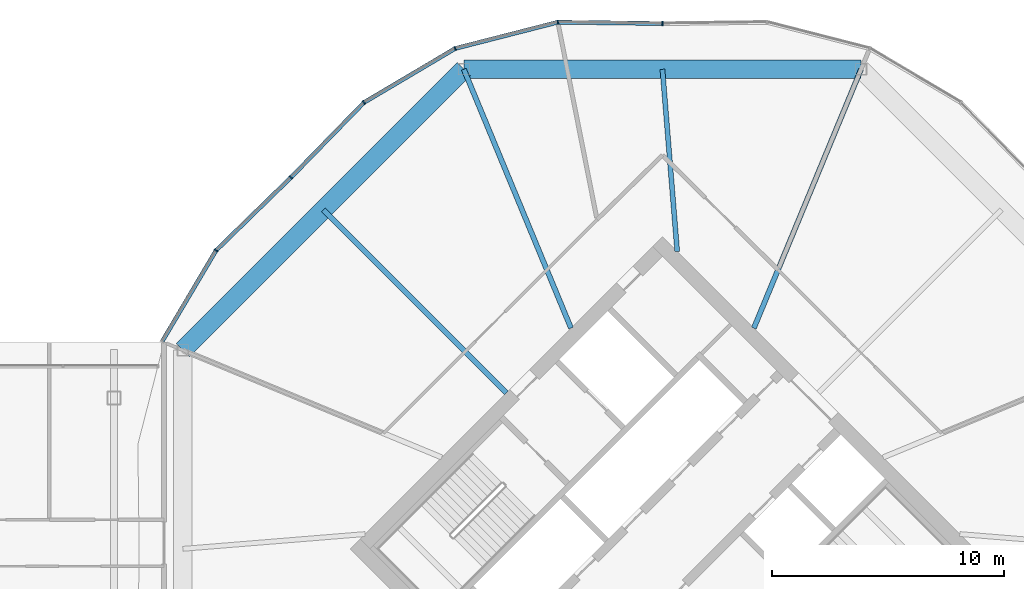
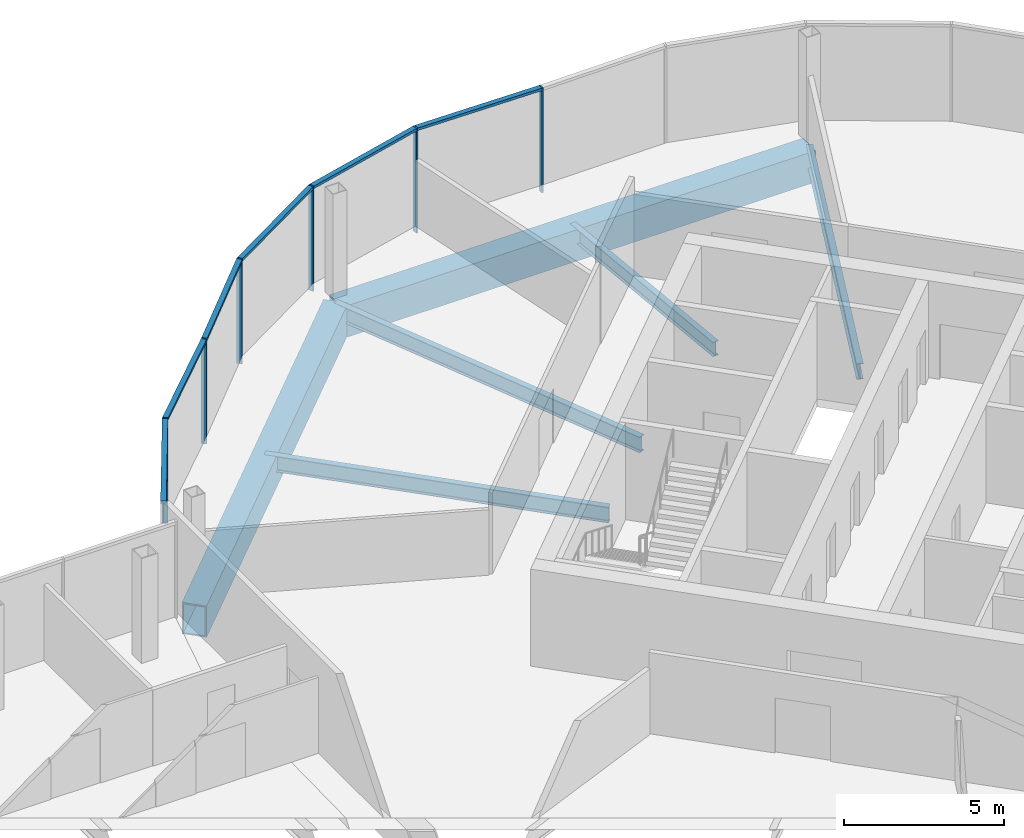
# One storey, part 16 of 26: 12 members, 6 beams, 3 elements without a shape of their own.
"""IFC4 building model written with IfcOpenShell, lengths in metres."""

from ifc_helpers import new_model, si_unit, direction, frame, origin, origin_2d, place, context, subcontext, project, spatial, rectangle, hollow_rectangle, i_section, extrude, material, material_profile, profile_set, type_object, element, aggregate, save


model = new_model("IFC4")

# Units and contexts
model_context = context("Model", 3, precision=1e-05, world=origin(), true_north=direction((0.0, 1.0)))
body_context = subcontext(model_context, "Body", "Model", "MODEL_VIEW")
ifc_project = project(units=[si_unit("LENGTHUNIT", "METRE"), si_unit("AREAUNIT", "SQUARE_METRE"), si_unit("VOLUMEUNIT", "CUBIC_METRE"), si_unit("PLANEANGLEUNIT", "RADIAN"), si_unit("MASSUNIT", "GRAM", prefix="KILO")], contexts=[model_context])

# Site, building, storey
site_placement = place(None, origin())
site = spatial("IfcSite", under=ifc_project, at=site_placement, CompositionType="ELEMENT")
building_placement = place(site_placement, origin())
building = spatial("IfcBuilding", under=site, at=building_placement, Name="Ogive Gate Towers", CompositionType="ELEMENT")
storey_placement = place(building_placement, frame((0.0, 0.0, 148.800048828125)))
storey = spatial("IfcBuildingStorey", under=building, at=storey_placement, Name="L35", CompositionType="ELEMENT", Elevation=148.800048828125)

# Beams
ifc_material_1 = material(Name="Steel SM460", Category="steel")
ifc_material_profile_1 = material_profile(ifc_material_1, hollow_rectangle(XDim=0.800048828125, YDim=1.199951171875, WallThickness=0.050048828125, at=origin_2d()), Name="BX 1200x800x50")
ifc_profile_set_1 = profile_set([ifc_material_profile_1], Name="Steel SM460")
beam_type_1 = type_object("IfcBeamType", Name="Edge girder BX 1200x800x50", PredefinedType="BEAM", material=ifc_profile_set_1)
beam_1_placement = place(storey_placement, frame((44.549072265625, 20.639404296875, -0.900146484375), z_axis=(-1.0, 0.0, 0.0), x_axis=(0.0, -1.0, 0.0)))
element("IfcBeam", 1, at=beam_1_placement, inside=storey, type_object=beam_type_1, Name="T2/L35/SBM022", PredefinedType="BEAM", context=body_context, shape_type="SweptSolid", body=[
    extrude(hollow_rectangle(XDim=0.800048828125, YDim=1.199951171875, WallThickness=0.050048828125, at=origin_2d()), origin(), (0.0, 0.0, 1.0), 17.09814453125),
])
beam_2_placement = place(storey_placement, frame((27.450927734375, 20.639404296875, -0.900146484375), z_axis=(-0.707106781187, -0.707106781187, 0.0), x_axis=(0.707106781187, -0.707106781187, 0.0)))
element("IfcBeam", 2, at=beam_2_placement, inside=storey, type_object=beam_type_1, Name="T2/L35/SBM023", PredefinedType="BEAM", context=body_context, shape_type="SweptSolid", body=[
    extrude(hollow_rectangle(XDim=0.800048828125, YDim=1.199951171875, WallThickness=0.050048828125, at=origin_2d()), origin(), (0.0, 0.0, 1.0), 17.098388671875),
])
ifc_material_2 = material(Name="Steel SM355", Category="steel")
ifc_material_profile_2 = material_profile(ifc_material_2, i_section(OverallWidth=0.2099609375, OverallDepth=0.550048828125, WebThickness=0.010986328125, FlangeThickness=0.01708984375, FilletRadius=0.02392578125, at=origin_2d()), Name="IPE 550")
ifc_profile_set_2 = profile_set([ifc_material_profile_2], Name="Steel SM355")
beam_type_2 = type_object("IfcBeamType", Name="Radial floor beam IPE 550", PredefinedType="BEAM", material=ifc_profile_set_2)
beam_3_placement = place(storey_placement, frame((36.636474609375, 12.798583984375, -0.574951171875), z_axis=(-0.080908365468, 0.996721544062, 0.0), x_axis=(-0.996721544062, -0.080908365468, 0.0)))
element("IfcBeam", 3, at=beam_3_placement, inside=storey, type_object=beam_type_2, Name="T2/L35/SBM012", PredefinedType="BEAM", context=body_context, shape_type="SweptSolid", body=[
    extrude(i_section(OverallWidth=0.2099609375, OverallDepth=0.550048828125, WebThickness=0.010986328125, FlangeThickness=0.01708984375, FilletRadius=0.02392578125, at=origin_2d()), origin(), (0.0, 0.0, 1.0), 7.86669921875),
])
ifc_material_profile_3 = material_profile(ifc_material_2, i_section(OverallWidth=0.219970703125, OverallDepth=0.60009765625, WebThickness=0.011962890625, FlangeThickness=0.01904296875, FilletRadius=0.02392578125, at=origin_2d()), Name="IPE 600")
ifc_profile_set_3 = profile_set([ifc_material_profile_3], Name="Steel SM355")
beam_type_3 = type_object("IfcBeamType", Name="Radial floor beam IPE 600", PredefinedType="BEAM", material=ifc_profile_set_3)
for number, where, z_axis, x_axis, name in (
    (4, (39.93505859375, 9.5, -0.60009765625), (0.382677863518, 0.923881839184, 0.0), (-0.923881839184, 0.382677863518, 0.0), "T2/L35/SBM011"),
    (5, (32.06494140625, 9.5, -0.60009765625), (-0.382677863518, 0.923881839184, 0.0), (-0.923881839184, -0.382677863518, 0.0), "T2/L35/SBM013"),
):
    element("IfcBeam", number, at=place(storey_placement, frame(where, z_axis=z_axis, x_axis=x_axis)), inside=storey, type_object=beam_type_3, Name=name, PredefinedType="BEAM", context=body_context, shape_type="SweptSolid", body=[
        extrude(i_section(OverallWidth=0.219970703125, OverallDepth=0.60009765625, WebThickness=0.011962890625, FlangeThickness=0.01904296875, FilletRadius=0.02392578125, at=origin_2d()), origin(), (0.0, 0.0, 1.0), 12.05712890625),
    ])
beam_4_placement = place(storey_placement, frame((29.282470703125, 6.717529296875, -0.60009765625), z_axis=(-0.707106781187, 0.707106781187, 0.0), x_axis=(-0.707106781187, -0.707106781187, 0.0)))
element("IfcBeam", 6, at=beam_4_placement, inside=storey, type_object=beam_type_3, Name="T2/L35/SBM014", PredefinedType="BEAM", context=body_context, shape_type="SweptSolid", body=[
    extrude(i_section(OverallWidth=0.219970703125, OverallDepth=0.60009765625, WebThickness=0.011962890625, FlangeThickness=0.01904296875, FilletRadius=0.02392578125, at=origin_2d()), origin(), (0.0, 0.0, 1.0), 11.139404296875),
])

# Curtain wall, member
ifc_material_3 = material(Name="Pale metal aluminium", Category="aluminium")
curtain_wall_type = type_object("IfcCurtainWallType", Name="Tower unitised wall, high zone", PredefinedType="NOTDEFINED", material=ifc_material_3)
curtain_wall_1_placement = place(storey_placement, origin())
curtain_wall_1 = element("IfcCurtainWall", 7, at=curtain_wall_1_placement, inside=storey, type_object=curtain_wall_type, Name="CW2 T2 ECW02", PredefinedType="NOTDEFINED")
ifc_material_profile_4 = material_profile(ifc_material_3, rectangle(XDim=0.179931640625, YDim=0.06005859375, at=origin_2d()), Name="60 x 180 aluminium box")
ifc_profile_set_4 = profile_set([ifc_material_profile_4], Name="Pale metal aluminium")
member_type_1 = type_object("IfcMemberType", Name="Tower unitised wall, high zone mullion 60 x 180", PredefinedType="MULLION", material=ifc_profile_set_4)
member_1_placement = place(storey_placement, frame((36.0, 22.610107421875, -0.300048828125), z_axis=(0.0, 0.0, 1.0), x_axis=(-0.012827818167, 0.999917720156, 0.0)))
member_1 = element("IfcMember", 8, at=member_1_placement, type_object=member_type_1, Name="CW2 mullion", PredefinedType="MULLION", context=body_context, shape_type="SweptSolid", body=[
    extrude(rectangle(XDim=0.179931640625, YDim=0.06005859375, at=origin_2d()), origin(), (0.0, 0.0, 1.0), 4.0),
])
aggregate(curtain_wall_1, [member_1])

# Curtain wall, members
curtain_wall_2_placement = place(storey_placement, origin())
curtain_wall_2 = element("IfcCurtainWall", 9, at=curtain_wall_2_placement, inside=storey, type_object=curtain_wall_type, Name="CW2 T2 ECW03", PredefinedType="NOTDEFINED")
member_2_placement = place(storey_placement, frame((31.498291015625, 22.66796875, -0.300048828125), z_axis=(0.0, 0.0, 1.0), x_axis=(-0.118611931918, 0.992940687859, 0.0)))
member_2 = element("IfcMember", 10, at=member_2_placement, type_object=member_type_1, Name="CW2 mullion", PredefinedType="MULLION", context=body_context, shape_type="SweptSolid", body=[
    extrude(rectangle(XDim=0.179931640625, YDim=0.06005859375, at=origin_2d()), origin(), (0.0, 0.0, 1.0), 4.0),
])
member_3_placement = place(storey_placement, frame((27.0791015625, 21.53662109375, -0.300048828125), z_axis=(0.0, 0.0, 1.0), x_axis=(-0.382683432365, 0.923879532511, 0.0)))
member_3 = element("IfcMember", 11, at=member_3_placement, type_object=member_type_1, Name="CW2 mullion", PredefinedType="MULLION", context=body_context, shape_type="SweptSolid", body=[
    extrude(rectangle(XDim=0.179931640625, YDim=0.06005859375, at=origin_2d()), origin(), (0.0, 0.0, 1.0), 4.0),
])
member_4_placement = place(storey_placement, frame((23.154541015625, 19.2119140625, -0.300048828125), z_axis=(0.0, 0.0, 1.0), x_axis=(-0.618230074168, 0.78599718536, 0.0)))
member_4 = element("IfcMember", 12, at=member_4_placement, type_object=member_type_1, Name="CW2 mullion", PredefinedType="MULLION", context=body_context, shape_type="SweptSolid", body=[
    extrude(rectangle(XDim=0.179931640625, YDim=0.06005859375, at=origin_2d()), origin(), (0.0, 0.0, 1.0), 4.0),
])
member_5_placement = place(storey_placement, frame((20.012451171875, 15.98779296875, -0.300048828125), z_axis=(0.0, 0.0, 1.0), x_axis=(-0.716119237764, 0.697977963337, 0.0)))
member_5 = element("IfcMember", 13, at=member_5_placement, type_object=member_type_1, Name="CW2 mullion", PredefinedType="MULLION", context=body_context, shape_type="SweptSolid", body=[
    extrude(rectangle(XDim=0.179931640625, YDim=0.06005859375, at=origin_2d()), origin(), (0.0, 0.0, 1.0), 4.0),
])

# Curtain wall, member
curtain_wall_3_placement = place(storey_placement, origin())
curtain_wall_3 = element("IfcCurtainWall", 14, at=curtain_wall_3_placement, inside=storey, type_object=curtain_wall_type, Name="CW2 T2 ECW04", PredefinedType="NOTDEFINED")
member_6_placement = place(storey_placement, frame((16.7880859375, 12.845458984375, -0.300048828125), z_axis=(0.0, 0.0, 1.0), x_axis=(-0.78599718536, 0.618230074168, 0.0)))
member_6 = element("IfcMember", 15, at=member_6_placement, type_object=member_type_1, Name="CW2 mullion", PredefinedType="MULLION", context=body_context, shape_type="SweptSolid", body=[
    extrude(rectangle(XDim=0.179931640625, YDim=0.06005859375, at=origin_2d()), origin(), (0.0, 0.0, 1.0), 4.0),
])

# Member
ifc_material_profile_5 = material_profile(ifc_material_3, rectangle(XDim=0.179931640625, YDim=0.10009765625, at=origin_2d()), Name="100 x 180 aluminium box")
ifc_profile_set_5 = profile_set([ifc_material_profile_5], Name="Pale metal aluminium")
member_type_2 = type_object("IfcMemberType", Name="Tower unitised wall, high zone transom 100 x 180", PredefinedType="USERDEFINED", material=ifc_profile_set_5)
member_7_placement = place(storey_placement, frame((35.969970703125, 22.6103515625, 3.64990234375), z_axis=(-0.999917339021, 0.012857492984, 0.0), x_axis=(-0.012857492984, -0.999917339021, 0.0)))
member_7 = element("IfcMember", 16, at=member_7_placement, type_object=member_type_2, Name="CW2 transom", ObjectType="TRANSOM", PredefinedType="USERDEFINED", context=body_context, shape_type="SweptSolid", body=[
    extrude(rectangle(XDim=0.179931640625, YDim=0.10009765625, at=origin_2d()), origin(), (0.0, 0.0, 1.0), 4.443359375),
])

member_8_placement = place(storey_placement, frame((31.470458984375, 22.66064453125, 3.64990234375), z_axis=(-0.968765769821, -0.247977586132, 0.0), x_axis=(0.247977586132, -0.968765769821, 0.0)))
member_8 = element("IfcMember", 17, at=member_8_placement, type_object=member_type_2, Name="CW2 transom", ObjectType="TRANSOM", PredefinedType="USERDEFINED", context=body_context, shape_type="SweptSolid", body=[
    extrude(rectangle(XDim=0.179931640625, YDim=0.10009765625, at=origin_2d()), origin(), (0.0, 0.0, 1.0), 4.504150390625),
])

member_9_placement = place(storey_placement, frame((27.0546875, 21.52197265625, 3.64990234375), z_axis=(-0.860382203053, -0.509649354625, 0.0), x_axis=(0.509649354625, -0.860382203053, 0.0)))
member_9 = element("IfcMember", 18, at=member_9_placement, type_object=member_type_2, Name="CW2 transom", ObjectType="TRANSOM", PredefinedType="USERDEFINED", context=body_context, shape_type="SweptSolid", body=[
    extrude(rectangle(XDim=0.179931640625, YDim=0.10009765625, at=origin_2d()), origin(), (0.0, 0.0, 1.0), 4.50439453125),
])

member_10_placement = place(storey_placement, frame((23.134521484375, 19.191162109375, 3.64990234375), z_axis=(-0.697982523024, -0.716114793558, 0.0), x_axis=(0.716114793558, -0.697982523024, 0.0)))
member_10 = element("IfcMember", 19, at=member_10_placement, type_object=member_type_2, Name="CW2 transom", ObjectType="TRANSOM", PredefinedType="USERDEFINED", context=body_context, shape_type="SweptSolid", body=[
    extrude(rectangle(XDim=0.179931640625, YDim=0.10009765625, at=origin_2d()), origin(), (0.0, 0.0, 1.0), 4.443359375),
])

aggregate(curtain_wall_2, [member_2, member_7, member_3, member_8, member_4, member_9, member_5, member_10])

member_11_placement = place(storey_placement, frame((19.99072265625, 15.966796875, 3.64990234375), z_axis=(-0.716114793558, -0.697982523024, 0.0), x_axis=(0.697982523024, -0.716114793558, 0.0)))
member_11 = element("IfcMember", 20, at=member_11_placement, type_object=member_type_2, Name="CW2 transom", ObjectType="TRANSOM", PredefinedType="USERDEFINED", context=body_context, shape_type="SweptSolid", body=[
    extrude(rectangle(XDim=0.179931640625, YDim=0.10009765625, at=origin_2d()), origin(), (0.0, 0.0, 1.0), 4.443359375),
])

member_12_placement = place(storey_placement, frame((16.773681640625, 12.82080078125, 3.64990234375), z_axis=(-0.509649354625, -0.860382203053, 0.0), x_axis=(0.860382203053, -0.509649354625, 0.0)))
member_12 = element("IfcMember", 21, at=member_12_placement, type_object=member_type_2, Name="CW2 transom", ObjectType="TRANSOM", PredefinedType="USERDEFINED", context=body_context, shape_type="SweptSolid", body=[
    extrude(rectangle(XDim=0.179931640625, YDim=0.10009765625, at=origin_2d()), origin(), (0.0, 0.0, 1.0), 4.50439453125),
])

aggregate(curtain_wall_3, [member_6, member_11, member_12])

save(model, "model.ifc")
